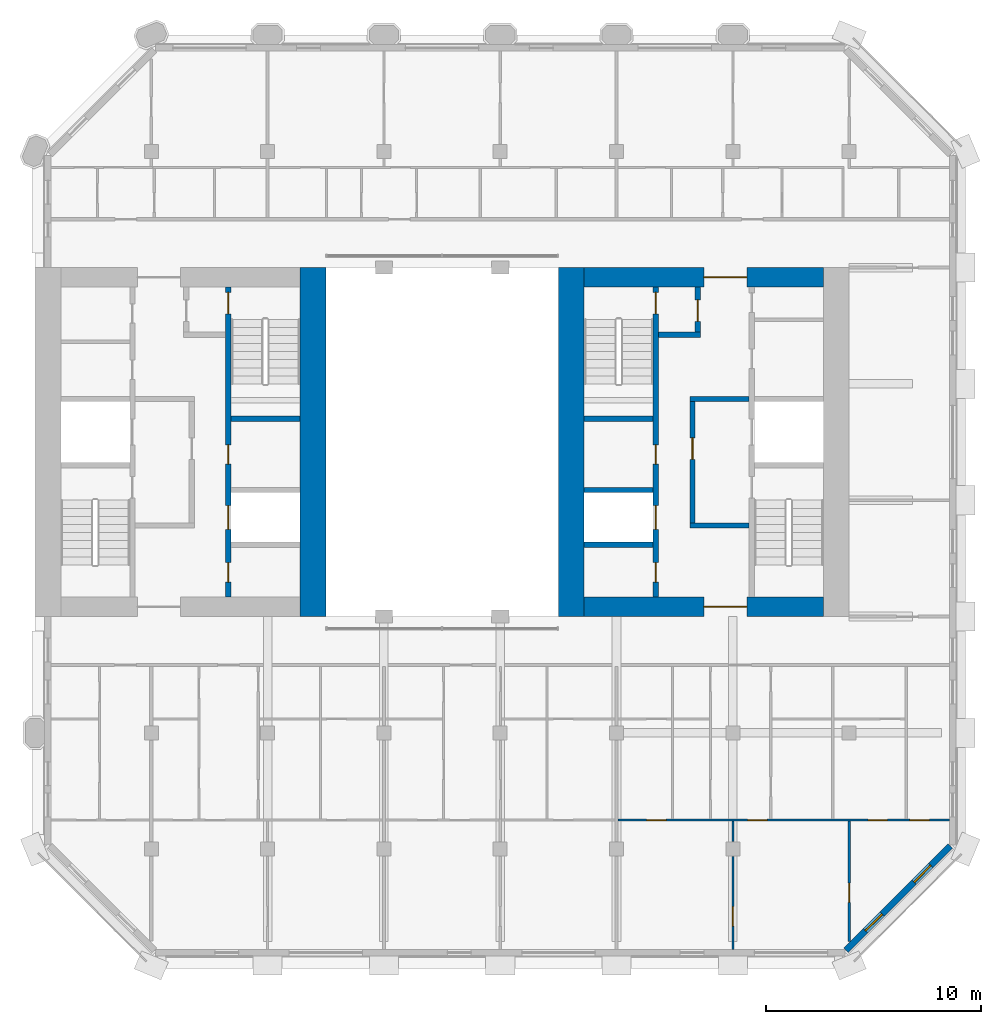
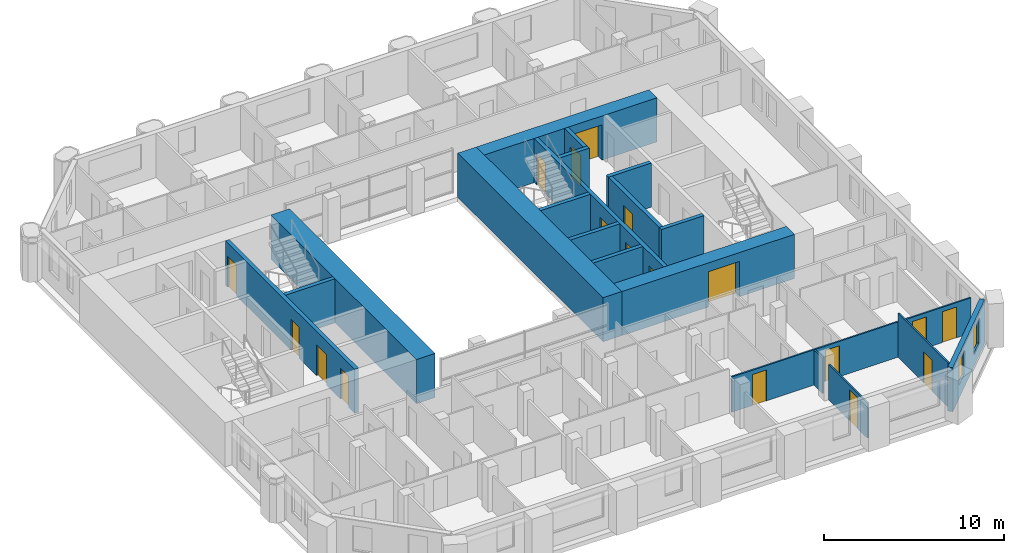
# One storey, part 10 of 16: 20 walls, 18 doors, 2 windows, 20 openings.
"""IFC4 building model written with IfcOpenShell, lengths in metres."""

import ifcopenshell
import ifcopenshell.guid

model = None  # the IFC model being written
_history = None  # IfcOwnerHistory: only IFC2X3 demands one
_inside = {}  # id of a spatial element -> (the spatial element, [elements in it])
_under = {}  # id of a project, library or spatial element -> (it, [spatial elements below it])
_declared = {}  # id of a project -> (the project, [libraries it declares])
_typed = {}  # id of a type object -> (the type object, [elements of that type])
_made_of = {}  # id of a material, layer set ... -> (it, [elements and type objects made of it])


def new_model(schema):
    """Start an empty IFC model of exactly this schema.

    Asked for "IFC4X3", IfcOpenShell would pick the latest addendum, in which some entities
    have other attributes; the version numbers below select the first issue.
    IFC2X3 requires an IfcOwnerHistory on every rooted entity: one is made here for all.
    """
    global model, _history
    if schema == "IFC4X3":
        model = ifcopenshell.file(schema_version=(4, 3, 0, 0))
    else:
        model = ifcopenshell.file(schema=schema)
    _inside.clear()
    _under.clear()
    _declared.clear()
    _typed.clear()
    _made_of.clear()
    _history = None
    if model.schema == "IFC2X3":
        org = make("IfcOrganization", Name="unknown")
        user = make(
            "IfcPersonAndOrganization",
            ThePerson=make("IfcPerson", FamilyName="unknown"),
            TheOrganization=org,
        )
        app = make(
            "IfcApplication",
            ApplicationDeveloper=org,
            Version="unknown",
            ApplicationFullName="unknown",
            ApplicationIdentifier="unknown",
        )
        _history = make(
            "IfcOwnerHistory",
            OwningUser=user,
            OwningApplication=app,
            ChangeAction="ADDED",
            CreationDate=0,
        )
    return model


def make(cls, **values):
    """One entity of the class cls with the attributes given. An attribute that is None is left unset."""
    return model.create_entity(
        cls, **{name: value for name, value in values.items() if value is not None}
    )


def rooted(cls, **values):
    """An entity with a GlobalId (a new one), such as an element, a storey or a relation."""
    return make(cls, GlobalId=ifcopenshell.guid.new(), OwnerHistory=_history, **values)


def si_unit(unit_type, name, prefix=None):
    """IfcSIUnit, for example si_unit("LENGTHUNIT", "METRE", prefix="MILLI")."""
    return make("IfcSIUnit", UnitType=unit_type, Prefix=prefix, Name=name)


def assignment(units):
    """IfcUnitAssignment: the units of a project."""
    return None if units is None else make("IfcUnitAssignment", Units=units)


def point(xyz):
    """IfcCartesianPoint."""
    return None if xyz is None else make("IfcCartesianPoint", Coordinates=xyz)


def direction(xyz):
    """IfcDirection."""
    return None if xyz is None else make("IfcDirection", DirectionRatios=xyz)


def frame(location, z_axis=None, x_axis=None):
    """IfcAxis2Placement3D, a coordinate frame: its origin and axes. An axis left out is left unset."""
    return make(
        "IfcAxis2Placement3D",
        Location=point(location),
        Axis=direction(z_axis),
        RefDirection=direction(x_axis),
    )


def frame_2d(location, x_axis=None):
    """IfcAxis2Placement2D, a coordinate frame in the plane: its origin and x axis."""
    return make(
        "IfcAxis2Placement2D", Location=point(location), RefDirection=direction(x_axis)
    )


def origin():
    """The frame at (0, 0, 0) with its axes left unset."""
    return frame((0.0, 0.0, 0.0))


def place(relative_to, where):
    """IfcLocalPlacement: puts the frame where relative to a parent placement (None: the world)."""
    return make(
        "IfcLocalPlacement", PlacementRelTo=relative_to, RelativePlacement=where
    )


def context(
    kind, dimensions, precision=None, world=None, true_north=None, identifier=None
):
    """IfcGeometricRepresentationContext, for example the 3D "Model" context."""
    return make(
        "IfcGeometricRepresentationContext",
        ContextIdentifier=identifier,
        ContextType=kind,
        CoordinateSpaceDimension=dimensions,
        Precision=precision,
        WorldCoordinateSystem=world,
        TrueNorth=true_north,
    )


def subcontext(parent, identifier, kind, view, scale=None):
    """IfcGeometricRepresentationSubContext, for example "Body" below "Model"."""
    return make(
        "IfcGeometricRepresentationSubContext",
        ContextIdentifier=identifier,
        ContextType=kind,
        ParentContext=parent,
        TargetScale=scale,
        TargetView=view,
    )


def project(units=None, contexts=None):
    """IfcProject with its units and contexts."""
    return rooted(
        "IfcProject",
        Name="project",
        RepresentationContexts=contexts,
        UnitsInContext=assignment(units),
    )


def spatial(cls, under=None, at=None, **own):
    """A site, building, storey or space (cls), placed at a placement, below another one or the project."""
    s = rooted(cls, ObjectPlacement=at, **own)
    if under is not None:
        _under.setdefault(under.id(), (under, []))[1].append(s)
    return s


def profile(cls, at=None, kind="AREA", **sizes):
    """A parametric profile (cls). Its sizes go by their IFC names, for example OverallWidth=200.0."""
    return make(cls, ProfileType=kind, Position=at, **sizes)


def rectangle(**sizes):
    """IfcRectangleProfileDef."""
    return profile("IfcRectangleProfileDef", **sizes)


def extrude(swept, where, along, depth):
    """IfcExtrudedAreaSolid: the profile swept, set in the frame where, extruded along a direction by depth."""
    return make(
        "IfcExtrudedAreaSolid",
        SweptArea=swept,
        Position=where,
        ExtrudedDirection=direction(along),
        Depth=depth,
    )


def shape(context_of_items, identifier, shape_type, items):
    """IfcShapeRepresentation: the items that make up one representation, for example the "Body"."""
    return make(
        "IfcShapeRepresentation",
        ContextOfItems=context_of_items,
        RepresentationIdentifier=identifier,
        RepresentationType=shape_type,
        Items=items,
    )


def material(Name=None, Category=None):
    """IfcMaterial."""
    return make("IfcMaterial", Name=Name, Category=Category)


def layer(
    of_material, thickness, ventilated=None, Name=None, Category=None, Priority=None
):
    """IfcMaterialLayer: one layer of a wall or slab, of a material (None: an air gap)."""
    return make(
        "IfcMaterialLayer",
        Material=of_material,
        LayerThickness=thickness,
        IsVentilated=ventilated,
        Name=Name,
        Category=Category,
        Priority=Priority,
    )


def layer_set(layers, Name=None):
    """IfcMaterialLayerSet."""
    return make("IfcMaterialLayerSet", MaterialLayers=layers, LayerSetName=Name)


def made_of(thing, what):
    """Note that an element or type object is made of a material, layer set ...; save() writes the relation."""
    if what is not None:
        _made_of.setdefault(what.id(), (what, []))[1].append(thing)
    return thing


def type_object(cls, material=None, **own):
    """A type object (cls), such as IfcWallType, which elements share."""
    return made_of(rooted(cls, **own), material)


def element(
    cls,
    number,
    at=None,
    inside=None,
    cuts=None,
    type_object=None,
    material=None,
    context=None,
    identifier="Body",
    shape_type=None,
    held_by="IfcProductDefinitionShape",
    body=None,
    shapes=None,
    **own,
):
    """One element of the class cls, such as IfcWall. Its Tag is "e" and its number.

    at: its placement. inside: the storey or other place that contains it. cuts: it is an
    opening in that element (IfcRelVoidsElement). A single representation is given by context,
    identifier, shape_type and body (its items); several are given by shapes. held_by: the class
    of the entity that holds the representations. save() writes the other relations.
    """
    e = rooted(cls, Tag="e%d" % number, ObjectPlacement=at, **own)
    if body is not None:
        shapes = [shape(context, identifier, shape_type, body)]
    if shapes is not None:
        e.Representation = make(held_by, Representations=shapes)
    if inside is not None:
        _inside.setdefault(inside.id(), (inside, []))[1].append(e)
    if cuts is not None:
        rooted(
            "IfcRelVoidsElement", RelatingBuildingElement=cuts, RelatedOpeningElement=e
        )
    if type_object is not None:
        _typed.setdefault(type_object.id(), (type_object, []))[1].append(e)
    return made_of(e, material)


def fill(opening, filler):
    """IfcRelFillsElement: the door or window that sits in an opening."""
    return rooted(
        "IfcRelFillsElement",
        RelatingOpeningElement=opening,
        RelatedBuildingElement=filler,
    )


def aggregate(whole, parts):
    """IfcRelAggregates: a whole, such as a stair, and the parts it consists of."""
    return rooted("IfcRelAggregates", RelatingObject=whole, RelatedObjects=parts)


def save(model, path):
    """Write the relations noted so far, then the file.

    IfcRelAggregates (storeys below a building ...), IfcRelContainedInSpatialStructure (elements
    in a storey), IfcRelDefinesByType, IfcRelAssociatesMaterial and IfcRelDeclares: one each for
    every whole, place, type object, material and project.
    """
    for whole, parts in _under.values():
        aggregate(whole, parts)
    for where, things in _inside.values():
        rooted(
            "IfcRelContainedInSpatialStructure",
            RelatedElements=things,
            RelatingStructure=where,
        )
    for kind, things in _typed.values():
        rooted("IfcRelDefinesByType", RelatedObjects=things, RelatingType=kind)
    for what, things in _made_of.values():
        rooted("IfcRelAssociatesMaterial", RelatedObjects=things, RelatingMaterial=what)
    for by, libraries in _declared.values():
        rooted("IfcRelDeclares", RelatingContext=by, RelatedDefinitions=libraries)
    model.write(path)


model = new_model("IFC4")

# Units and contexts
model_context = context("Model", 3, precision=1e-05, world=origin(), true_north=direction((0.0, 1.0)))
body_context = subcontext(model_context, "Body", "Model", "MODEL_VIEW")
ifc_project = project(units=[si_unit("LENGTHUNIT", "METRE"), si_unit("AREAUNIT", "SQUARE_METRE"), si_unit("VOLUMEUNIT", "CUBIC_METRE"), si_unit("PLANEANGLEUNIT", "RADIAN"), si_unit("MASSUNIT", "GRAM", prefix="KILO")], contexts=[model_context])

# Site, building, storey
site_placement = place(None, origin())
site = spatial("IfcSite", under=ifc_project, at=site_placement, CompositionType="ELEMENT")
building_placement = place(site_placement, origin())
building = spatial("IfcBuilding", under=site, at=building_placement, Name="Tabaq Tower and Sports Hall", CompositionType="ELEMENT")
storey_placement = place(building_placement, frame((0.0, 0.0, 268.60009765625)))
storey = spatial("IfcBuildingStorey", under=building, at=storey_placement, Name="L65", CompositionType="ELEMENT", Elevation=268.60009765625)

# Walls
ifc_material_1 = material(Name="Concrete C40/50", Category="concrete")
ifc_layer_1 = layer(ifc_material_1, 1.199951171875)
ifc_layer_set_1 = layer_set([ifc_layer_1], Name="Core wall 1200 Concrete C40/50")
wall_type_1 = type_object("IfcWallType", Name="Core wall 1200 Concrete C40/50", PredefinedType="SOLIDWALL", material=ifc_layer_set_1)
for number, where, z_axis, x_axis, name in (
    (1, (18.300048828125, 32.39990234375, 0.0), (0.0, 0.0, 1.0), (0.0, -1.0, 0.0), "Core wall W L65"),
    (2, (30.300048828125, 16.199951171875, 0.0), (0.0, 0.0, 1.0), (0.0, 1.0, 0.0), "Core wall E L65"),
):
    element("IfcWall", number, at=place(storey_placement, frame(where, z_axis=z_axis, x_axis=x_axis)), inside=storey, type_object=wall_type_1, Name=name, PredefinedType="SOLIDWALL", context=body_context, shape_type="SweptSolid", body=[
        extrude(rectangle(XDim=16.199951171875, YDim=1.199951171875, at=frame_2d((8.10009765625, 0.0))), origin(), (0.0, 0.0, 1.0), 3.0),
    ])

# Wall, opening, door
ifc_material_2 = material(Name="Concrete C40/50", Category="concrete")
ifc_layer_2 = layer(ifc_material_2, 0.89990234375)
ifc_layer_set_2 = layer_set([ifc_layer_2], Name="Core wall 900 Concrete C40/50")
wall_type_2 = type_object("IfcWallType", Name="Core wall 900 Concrete C40/50", PredefinedType="SOLIDWALL", material=ifc_layer_set_2)
wall_1_placement = place(storey_placement, frame((42.0, 16.64990234375, 0.0), z_axis=(0.0, 0.0, 1.0), x_axis=(-1.0, 0.0, 0.0)))
wall_1 = element("IfcWall", 3, at=wall_1_placement, inside=storey, type_object=wall_type_2, Name="Core wall E L65", PredefinedType="SOLIDWALL", context=body_context, shape_type="SweptSolid", body=[
    extrude(rectangle(XDim=11.10009765625, YDim=0.89990234375, at=frame_2d((5.550048828125, 0.0))), origin(), (0.0, 0.0, 1.0), 3.0),
])
opening_1_placement = place(wall_1_placement, frame((3.550048828125, 0.0, 0.0)))
opening_1 = element("IfcOpeningElement", 4, at=opening_1_placement, cuts=wall_1, Name="Opening PD-EL65-01", PredefinedType="OPENING", context=body_context, shape_type="SweptSolid", body=[
    extrude(rectangle(XDim=2.0, YDim=2.39990234375, at=frame_2d((1.0, 1.199951171875))), frame((0.0, 0.449951171875, 0.0), z_axis=(0.0, -1.0, 0.0), x_axis=(1.0, 0.0, 0.0)), (0.0, 0.0, 1.0), 0.89990234375),
])
ifc_material_3 = material(Name="Steel fire door", Category="steel")
door_type_1 = type_object("IfcDoorType", Name="Core entrance door 2000", OperationType="DOUBLE_DOOR_SINGLE_SWING", PredefinedType="DOOR", material=ifc_material_3)
door_1_placement = place(opening_1_placement, origin())
door_1 = element("IfcDoor", 5, at=door_1_placement, inside=storey, type_object=door_type_1, Name="Core entrance south E L65", OperationType="DOUBLE_DOOR_SINGLE_SWING", OverallHeight=2.39990234375, OverallWidth=2.0, PredefinedType="DOOR", context=body_context, shape_type="SweptSolid", body=[
    extrude(rectangle(XDim=2.0, YDim=2.39990234375, at=frame_2d((1.0, 1.199951171875))), frame((0.0, 0.02490234375, 0.0), z_axis=(0.0, -1.0, 0.0), x_axis=(1.0, 0.0, 0.0)), (0.0, 0.0, 1.0), 0.050048828125),
])
fill(opening_1, door_1)

wall_2_placement = place(storey_placement, frame((30.89990234375, 31.949951171875, 0.0), z_axis=(0.0, 0.0, 1.0), x_axis=(1.0, 0.0, 0.0)))
wall_2 = element("IfcWall", 6, at=wall_2_placement, inside=storey, type_object=wall_type_2, Name="Core wall E L65", PredefinedType="SOLIDWALL", context=body_context, shape_type="SweptSolid", body=[
    extrude(rectangle(XDim=11.10009765625, YDim=0.89990234375, at=frame_2d((5.550048828125, 0.0))), origin(), (0.0, 0.0, 1.0), 3.0),
])
opening_2_placement = place(wall_2_placement, frame((5.550048828125, 0.0, 0.0)))
opening_2 = element("IfcOpeningElement", 7, at=opening_2_placement, cuts=wall_2, Name="Opening PD-EL65-02", PredefinedType="OPENING", context=body_context, shape_type="SweptSolid", body=[
    extrude(rectangle(XDim=2.0, YDim=2.39990234375, at=frame_2d((1.0, 1.199951171875))), frame((0.0, 0.449951171875, 0.0), z_axis=(0.0, -1.0, 0.0), x_axis=(1.0, 0.0, 0.0)), (0.0, 0.0, 1.0), 0.89990234375),
])
door_2_placement = place(opening_2_placement, origin())
door_2 = element("IfcDoor", 8, at=door_2_placement, inside=storey, type_object=door_type_1, Name="Core entrance north E L65", OperationType="DOUBLE_DOOR_SINGLE_SWING", OverallHeight=2.39990234375, OverallWidth=2.0, PredefinedType="DOOR", context=body_context, shape_type="SweptSolid", body=[
    extrude(rectangle(XDim=2.0, YDim=2.39990234375, at=frame_2d((1.0, 1.199951171875))), frame((0.0, 0.02490234375, 0.0), z_axis=(0.0, -1.0, 0.0), x_axis=(1.0, 0.0, 0.0)), (0.0, 0.0, 1.0), 0.050048828125),
])
fill(opening_2, door_2)

ifc_material_4 = material(Name="Gypsum board on steel studs", Category="steel")
ifc_layer_3 = layer(ifc_material_4, 0.10009765625)
ifc_layer_set_3 = layer_set([ifc_layer_3], Name="Partition 100 Gypsum board")
wall_type_3 = type_object("IfcWallType", Name="Partition 100 Gypsum board", PredefinedType="PARTITIONING", material=ifc_layer_set_3)
wall_3_placement = place(storey_placement, frame((37.800048828125, 0.7509765625, 0.0), z_axis=(0.0, 0.0, 1.0), x_axis=(0.0, 1.0, 0.0)))
wall_3 = element("IfcWall", 9, at=wall_3_placement, inside=storey, type_object=wall_type_3, Name="Partition wall L65", PredefinedType="PARTITIONING", context=body_context, shape_type="SweptSolid", body=[
    extrude(rectangle(XDim=4.303955078125, YDim=0.10009765625, at=frame_2d((2.15185546875, 0.0))), origin(), (0.0, 0.0, 1.0), 2.39990234375),
])
opening_3_placement = place(wall_3_placement, frame((1.080078125, 0.0, 0.0)))
opening_3 = element("IfcOpeningElement", 10, at=opening_3_placement, cuts=wall_3, Name="Opening L65-047", PredefinedType="OPENING", context=body_context, shape_type="SweptSolid", body=[
    extrude(rectangle(XDim=0.89990234375, YDim=2.10009765625, at=frame_2d((0.449951171875, 1.050048828125))), frame((0.0, 0.050048828125, 0.0), z_axis=(0.0, -1.0, 0.0), x_axis=(1.0, 0.0, 0.0)), (0.0, 0.0, 1.0), 0.10009765625),
])
ifc_material_5 = material(Name="Timber leaf in steel frame", Category="steel")
door_type_2 = type_object("IfcDoorType", Name="Internal door 900 left hand", OperationType="SINGLE_SWING_LEFT", PredefinedType="DOOR", material=ifc_material_5)
door_3_placement = place(opening_3_placement, origin())
door_3 = element("IfcDoor", 11, at=door_3_placement, inside=storey, type_object=door_type_2, Name="Internal door L65-047", OperationType="SINGLE_SWING_LEFT", OverallHeight=2.10009765625, OverallWidth=0.89990234375, PredefinedType="DOOR", context=body_context, shape_type="SweptSolid", body=[
    extrude(rectangle(XDim=0.89990234375, YDim=2.10009765625, at=frame_2d((0.449951171875, 1.050048828125))), frame((0.0, 0.02490234375, 0.0), z_axis=(0.0, -1.0, 0.0), x_axis=(1.0, 0.0, 0.0)), (0.0, 0.0, 1.0), 0.050048828125),
])
fill(opening_3, door_3)

# Wall
wall_4_placement = place(storey_placement, frame((37.800048828125, 5.7451171875, 0.0), z_axis=(0.0, 0.0, 1.0), x_axis=(0.0, 1.0, 0.0)))
element("IfcWall", 12, at=wall_4_placement, inside=storey, type_object=wall_type_3, Name="Partition wall L65", PredefinedType="PARTITIONING", context=body_context, shape_type="SweptSolid", body=[
    extrude(rectangle(XDim=0.954833984375, YDim=0.10009765625, at=frame_2d((0.4775390625, 0.0))), origin(), (0.0, 0.0, 1.0), 2.39990234375),
])

# Wall, openings, doors
wall_5_placement = place(storey_placement, frame((47.84912109375, 6.75, 0.0), z_axis=(0.0, 0.0, 1.0), x_axis=(-1.0, 0.0, 0.0)))
wall_5 = element("IfcWall", 13, at=wall_5_placement, inside=storey, type_object=wall_type_3, Name="Partition wall L65", PredefinedType="PARTITIONING", context=body_context, shape_type="SweptSolid", body=[
    extrude(rectangle(XDim=15.3740234375, YDim=0.10009765625, at=frame_2d((7.68701171875, 0.0))), origin(), (0.0, 0.0, 1.0), 2.39990234375),
])
opening_4_placement = place(wall_5_placement, frame((0.928955078125, 0.0, 0.0)))
opening_4 = element("IfcOpeningElement", 14, at=opening_4_placement, cuts=wall_5, Name="Opening L65-023", PredefinedType="OPENING", context=body_context, shape_type="SweptSolid", body=[
    extrude(rectangle(XDim=0.89990234375, YDim=2.10009765625, at=frame_2d((0.449951171875, 1.050048828125))), frame((0.0, 0.050048828125, 0.0), z_axis=(0.0, -1.0, 0.0), x_axis=(1.0, 0.0, 0.0)), (0.0, 0.0, 1.0), 0.10009765625),
])
opening_5_placement = place(wall_5_placement, frame((13.14892578125, 0.0, 0.0)))
opening_5 = element("IfcOpeningElement", 15, at=opening_5_placement, cuts=wall_5, Name="Opening L65-048", PredefinedType="OPENING", context=body_context, shape_type="SweptSolid", body=[
    extrude(rectangle(XDim=0.89990234375, YDim=2.10009765625, at=frame_2d((0.449951171875, 1.050048828125))), frame((0.0, 0.050048828125, 0.0), z_axis=(0.0, -1.0, 0.0), x_axis=(1.0, 0.0, 0.0)), (0.0, 0.0, 1.0), 0.10009765625),
])
opening_6_placement = place(wall_5_placement, frame((2.8740234375, 0.0, 0.0)))
opening_6 = element("IfcOpeningElement", 16, at=opening_6_placement, cuts=wall_5, Name="Opening L65-049", PredefinedType="OPENING", context=body_context, shape_type="SweptSolid", body=[
    extrude(rectangle(XDim=0.89990234375, YDim=2.10009765625, at=frame_2d((0.449951171875, 1.050048828125))), frame((0.0, 0.050048828125, 0.0), z_axis=(0.0, -1.0, 0.0), x_axis=(1.0, 0.0, 0.0)), (0.0, 0.0, 1.0), 0.10009765625),
])
opening_7_placement = place(wall_5_placement, frame((8.462890625, 0.0, 0.0)))
opening_7 = element("IfcOpeningElement", 17, at=opening_7_placement, cuts=wall_5, Name="Opening L65-058", PredefinedType="OPENING", context=body_context, shape_type="SweptSolid", body=[
    extrude(rectangle(XDim=0.89990234375, YDim=2.10009765625, at=frame_2d((0.449951171875, 1.050048828125))), frame((0.0, 0.050048828125, 0.0), z_axis=(0.0, -1.0, 0.0), x_axis=(1.0, 0.0, 0.0)), (0.0, 0.0, 1.0), 0.10009765625),
])
door_4_placement = place(opening_6_placement, origin())
door_4 = element("IfcDoor", 18, at=door_4_placement, inside=storey, type_object=door_type_2, Name="Internal door L65-049", OperationType="SINGLE_SWING_LEFT", OverallHeight=2.10009765625, OverallWidth=0.89990234375, PredefinedType="DOOR", context=body_context, shape_type="SweptSolid", body=[
    extrude(rectangle(XDim=0.89990234375, YDim=2.10009765625, at=frame_2d((0.449951171875, 1.050048828125))), frame((0.0, 0.02490234375, 0.0), z_axis=(0.0, -1.0, 0.0), x_axis=(1.0, 0.0, 0.0)), (0.0, 0.0, 1.0), 0.050048828125),
])
fill(opening_6, door_4)
ifc_material_6 = material(Name="Timber leaf in steel frame", Category="steel")
door_type_3 = type_object("IfcDoorType", Name="Internal door 900 right hand", OperationType="SINGLE_SWING_RIGHT", PredefinedType="DOOR", material=ifc_material_6)
door_5_placement = place(opening_4_placement, origin())
door_5 = element("IfcDoor", 19, at=door_5_placement, inside=storey, type_object=door_type_3, Name="Internal door L65-023", OperationType="SINGLE_SWING_RIGHT", OverallHeight=2.10009765625, OverallWidth=0.89990234375, PredefinedType="DOOR", context=body_context, shape_type="SweptSolid", body=[
    extrude(rectangle(XDim=0.89990234375, YDim=2.10009765625, at=frame_2d((0.449951171875, 1.050048828125))), frame((0.0, 0.02490234375, 0.0), z_axis=(0.0, -1.0, 0.0), x_axis=(1.0, 0.0, 0.0)), (0.0, 0.0, 1.0), 0.050048828125),
])
fill(opening_4, door_5)
door_6_placement = place(opening_5_placement, origin())
door_6 = element("IfcDoor", 20, at=door_6_placement, inside=storey, type_object=door_type_3, Name="Internal door L65-048", OperationType="SINGLE_SWING_RIGHT", OverallHeight=2.10009765625, OverallWidth=0.89990234375, PredefinedType="DOOR", context=body_context, shape_type="SweptSolid", body=[
    extrude(rectangle(XDim=0.89990234375, YDim=2.10009765625, at=frame_2d((0.449951171875, 1.050048828125))), frame((0.0, 0.02490234375, 0.0), z_axis=(0.0, -1.0, 0.0), x_axis=(1.0, 0.0, 0.0)), (0.0, 0.0, 1.0), 0.050048828125),
])
fill(opening_5, door_6)
door_7_placement = place(opening_7_placement, origin())
door_7 = element("IfcDoor", 21, at=door_7_placement, inside=storey, type_object=door_type_3, Name="Internal door L65-058", OperationType="SINGLE_SWING_RIGHT", OverallHeight=2.10009765625, OverallWidth=0.89990234375, PredefinedType="DOOR", context=body_context, shape_type="SweptSolid", body=[
    extrude(rectangle(XDim=0.89990234375, YDim=2.10009765625, at=frame_2d((0.449951171875, 1.050048828125))), frame((0.0, 0.02490234375, 0.0), z_axis=(0.0, -1.0, 0.0), x_axis=(1.0, 0.0, 0.0)), (0.0, 0.0, 1.0), 0.050048828125),
])
fill(opening_7, door_7)

# Wall, opening, door
wall_6_placement = place(storey_placement, frame((43.199951171875, 1.112060546875, 0.0), z_axis=(0.0, 0.0, 1.0), x_axis=(0.0, 1.0, 0.0)))
wall_6 = element("IfcWall", 22, at=wall_6_placement, inside=storey, type_object=wall_type_3, Name="Partition wall L65", PredefinedType="PARTITIONING", context=body_context, shape_type="SweptSolid", body=[
    extrude(rectangle(XDim=5.587890625, YDim=0.10009765625, at=frame_2d((2.7939453125, 0.0))), origin(), (0.0, 0.0, 1.0), 3.0),
])
opening_8_placement = place(wall_6_placement, frame((1.81298828125, 0.0, 0.0)))
opening_8 = element("IfcOpeningElement", 23, at=opening_8_placement, cuts=wall_6, Name="Opening L65-057", PredefinedType="OPENING", context=body_context, shape_type="SweptSolid", body=[
    extrude(rectangle(XDim=0.89990234375, YDim=2.10009765625, at=frame_2d((0.449951171875, 1.050048828125))), frame((0.0, 0.050048828125, 0.0), z_axis=(0.0, -1.0, 0.0), x_axis=(1.0, 0.0, 0.0)), (0.0, 0.0, 1.0), 0.10009765625),
])
door_8_placement = place(opening_8_placement, origin())
door_8 = element("IfcDoor", 24, at=door_8_placement, inside=storey, type_object=door_type_3, Name="Internal door L65-057", OperationType="SINGLE_SWING_RIGHT", OverallHeight=2.10009765625, OverallWidth=0.89990234375, PredefinedType="DOOR", context=body_context, shape_type="SweptSolid", body=[
    extrude(rectangle(XDim=0.89990234375, YDim=2.10009765625, at=frame_2d((0.449951171875, 1.050048828125))), frame((0.0, 0.02490234375, 0.0), z_axis=(0.0, -1.0, 0.0), x_axis=(1.0, 0.0, 0.0)), (0.0, 0.0, 1.0), 0.050048828125),
])
fill(opening_8, door_8)

# Wall, openings, doors
ifc_material_7 = material(Name="Concrete C40/50", Category="concrete")
ifc_layer_4 = layer(ifc_material_7, 0.25)
ifc_layer_set_4 = layer_set([ifc_layer_4], Name="Shaft and stair wall 250 Concrete C40/50")
wall_type_4 = type_object("IfcWallType", Name="Shaft and stair wall 250 Concrete C40/50", PredefinedType="SOLIDWALL", material=ifc_layer_set_4)
wall_7_placement = place(storey_placement, frame((14.375, 17.10009765625, 0.0), z_axis=(0.0, 0.0, 1.0), x_axis=(0.0, 1.0, 0.0)))
wall_7 = element("IfcWall", 25, at=wall_7_placement, inside=storey, type_object=wall_type_4, Name="Shaft wall W L65", PredefinedType="SOLIDWALL", context=body_context, shape_type="SweptSolid", body=[
    extrude(rectangle(XDim=14.39990234375, YDim=0.25, at=frame_2d((7.199951171875, 0.0))), origin(), (0.0, 0.0, 1.0), 3.0),
])
opening_9_placement = place(wall_7_placement, frame((13.14990234375, 0.0, 0.0)))
opening_9 = element("IfcOpeningElement", 26, at=opening_9_placement, cuts=wall_7, Name="Opening SD-WL65-05", PredefinedType="OPENING", context=body_context, shape_type="SweptSolid", body=[
    extrude(rectangle(XDim=1.0, YDim=2.10009765625, at=frame_2d((0.5, 1.050048828125))), frame((0.0, 0.125, 0.0), z_axis=(0.0, -1.0, 0.0), x_axis=(1.0, 0.0, 0.0)), (0.0, 0.0, 1.0), 0.25),
])
opening_10_placement = place(wall_7_placement, frame((3.14990234375, 0.0, 0.0)))
opening_10 = element("IfcOpeningElement", 27, at=opening_10_placement, cuts=wall_7, Name="Opening LD-HR1-L65", PredefinedType="OPENING", context=body_context, shape_type="SweptSolid", body=[
    extrude(rectangle(XDim=1.10009765625, YDim=2.10009765625, at=frame_2d((0.550048828125, 1.050048828125))), frame((0.0, 0.125, 0.0), z_axis=(0.0, -1.0, 0.0), x_axis=(1.0, 0.0, 0.0)), (0.0, 0.0, 1.0), 0.25),
])
opening_11_placement = place(wall_7_placement, frame((0.699951171875, 0.0, 0.0)))
opening_11 = element("IfcOpeningElement", 28, at=opening_11_placement, cuts=wall_7, Name="Opening RD-WL65-11", PredefinedType="OPENING", context=body_context, shape_type="SweptSolid", body=[
    extrude(rectangle(XDim=0.89990234375, YDim=2.10009765625, at=frame_2d((0.449951171875, 1.050048828125))), frame((0.0, 0.125, 0.0), z_axis=(0.0, -1.0, 0.0), x_axis=(1.0, 0.0, 0.0)), (0.0, 0.0, 1.0), 0.25),
])
opening_12_placement = place(wall_7_placement, frame((6.175048828125, 0.0, 0.0)))
opening_12 = element("IfcOpeningElement", 29, at=opening_12_placement, cuts=wall_7, Name="Opening RD-WL65-12", PredefinedType="OPENING", context=body_context, shape_type="SweptSolid", body=[
    extrude(rectangle(XDim=0.89990234375, YDim=2.10009765625, at=frame_2d((0.449951171875, 1.050048828125))), frame((0.0, 0.125, 0.0), z_axis=(0.0, -1.0, 0.0), x_axis=(1.0, 0.0, 0.0)), (0.0, 0.0, 1.0), 0.25),
])
ifc_material_8 = material(Name="Steel fire door", Category="steel")
door_type_4 = type_object("IfcDoorType", Name="Core room door 900", OperationType="SINGLE_SWING_LEFT", PredefinedType="DOOR", material=ifc_material_8)
door_9_placement = place(opening_11_placement, origin())
door_9 = element("IfcDoor", 30, at=door_9_placement, inside=storey, type_object=door_type_4, Name="Door Electrical Riser Room W L65", OperationType="SINGLE_SWING_LEFT", OverallHeight=2.10009765625, OverallWidth=0.89990234375, PredefinedType="DOOR", context=body_context, shape_type="SweptSolid", body=[
    extrude(rectangle(XDim=0.89990234375, YDim=2.10009765625, at=frame_2d((0.449951171875, 1.050048828125))), frame((0.0, 0.02490234375, 0.0), z_axis=(0.0, -1.0, 0.0), x_axis=(1.0, 0.0, 0.0)), (0.0, 0.0, 1.0), 0.050048828125),
])
fill(opening_11, door_9)
door_10_placement = place(opening_12_placement, origin())
door_10 = element("IfcDoor", 31, at=door_10_placement, inside=storey, type_object=door_type_4, Name="Door Riser Room W L65", OperationType="SINGLE_SWING_LEFT", OverallHeight=2.10009765625, OverallWidth=0.89990234375, PredefinedType="DOOR", context=body_context, shape_type="SweptSolid", body=[
    extrude(rectangle(XDim=0.89990234375, YDim=2.10009765625, at=frame_2d((0.449951171875, 1.050048828125))), frame((0.0, 0.02490234375, 0.0), z_axis=(0.0, -1.0, 0.0), x_axis=(1.0, 0.0, 0.0)), (0.0, 0.0, 1.0), 0.050048828125),
])
fill(opening_12, door_10)
ifc_material_9 = material(Name="Stainless steel", Category="steel")
door_type_5 = type_object("IfcDoorType", Name="Lift landing door 1100", OperationType="DOUBLE_DOOR_SLIDING", PredefinedType="DOOR", material=ifc_material_9)
door_11_placement = place(opening_10_placement, origin())
door_11 = element("IfcDoor", 32, at=door_11_placement, inside=storey, type_object=door_type_5, Name="Lift landing door HR1 W L65", OperationType="DOUBLE_DOOR_SLIDING", OverallHeight=2.10009765625, OverallWidth=1.10009765625, PredefinedType="DOOR", context=body_context, shape_type="SweptSolid", body=[
    extrude(rectangle(XDim=1.10009765625, YDim=2.10009765625, at=frame_2d((0.550048828125, 1.050048828125))), frame((0.0, 0.02490234375, 0.0), z_axis=(0.0, -1.0, 0.0), x_axis=(1.0, 0.0, 0.0)), (0.0, 0.0, 1.0), 0.050048828125),
])
fill(opening_10, door_11)
ifc_material_10 = material(Name="Steel fire door", Category="steel")
door_type_6 = type_object("IfcDoorType", Name="Stair door 1000", OperationType="SINGLE_SWING_LEFT", PredefinedType="DOOR", material=ifc_material_10)
door_12_placement = place(opening_9_placement, origin())
door_12 = element("IfcDoor", 33, at=door_12_placement, inside=storey, type_object=door_type_6, Name="Stair door ST2 W L65", OperationType="SINGLE_SWING_LEFT", OverallHeight=2.10009765625, OverallWidth=1.0, PredefinedType="DOOR", context=body_context, shape_type="SweptSolid", body=[
    extrude(rectangle(XDim=1.0, YDim=2.10009765625, at=frame_2d((0.5, 1.050048828125))), frame((0.0, 0.02490234375, 0.0), z_axis=(0.0, -1.0, 0.0), x_axis=(1.0, 0.0, 0.0)), (0.0, 0.0, 1.0), 0.050048828125),
])
fill(opening_9, door_12)

# Wall
wall_8_placement = place(storey_placement, frame((14.5, 25.375, 0.0), z_axis=(0.0, 0.0, 1.0), x_axis=(1.0, 0.0, 0.0)))
element("IfcWall", 34, at=wall_8_placement, inside=storey, type_object=wall_type_4, Name="Stair enclosure wall W L65", PredefinedType="SOLIDWALL", context=body_context, shape_type="SweptSolid", body=[
    extrude(rectangle(XDim=3.199951171875, YDim=0.25, at=frame_2d((1.60009765625, 0.0))), origin(), (0.0, 0.0, 1.0), 3.0),
])

# Wall, openings, doors
wall_9_placement = place(storey_placement, frame((34.22509765625, 17.10009765625, 0.0), z_axis=(0.0, 0.0, 1.0), x_axis=(0.0, 1.0, 0.0)))
wall_9 = element("IfcWall", 35, at=wall_9_placement, inside=storey, type_object=wall_type_4, Name="Shaft wall E L65", PredefinedType="SOLIDWALL", context=body_context, shape_type="SweptSolid", body=[
    extrude(rectangle(XDim=14.39990234375, YDim=0.25, at=frame_2d((7.199951171875, 0.0))), origin(), (0.0, 0.0, 1.0), 3.0),
])
opening_13_placement = place(wall_9_placement, frame((13.14990234375, 0.0, 0.0)))
opening_13 = element("IfcOpeningElement", 36, at=opening_13_placement, cuts=wall_9, Name="Opening SD-EL65-05", PredefinedType="OPENING", context=body_context, shape_type="SweptSolid", body=[
    extrude(rectangle(XDim=1.0, YDim=2.10009765625, at=frame_2d((0.5, 1.050048828125))), frame((0.0, 0.125, 0.0), z_axis=(0.0, -1.0, 0.0), x_axis=(1.0, 0.0, 0.0)), (0.0, 0.0, 1.0), 0.25),
])
opening_14_placement = place(wall_9_placement, frame((3.14990234375, 0.0, 0.0)))
opening_14 = element("IfcOpeningElement", 37, at=opening_14_placement, cuts=wall_9, Name="Opening LD-HR2-L65", PredefinedType="OPENING", context=body_context, shape_type="SweptSolid", body=[
    extrude(rectangle(XDim=1.10009765625, YDim=2.10009765625, at=frame_2d((0.550048828125, 1.050048828125))), frame((0.0, 0.125, 0.0), z_axis=(0.0, -1.0, 0.0), x_axis=(1.0, 0.0, 0.0)), (0.0, 0.0, 1.0), 0.25),
])
opening_15_placement = place(wall_9_placement, frame((0.699951171875, 0.0, 0.0)))
opening_15 = element("IfcOpeningElement", 38, at=opening_15_placement, cuts=wall_9, Name="Opening RD-EL65-11", PredefinedType="OPENING", context=body_context, shape_type="SweptSolid", body=[
    extrude(rectangle(XDim=0.89990234375, YDim=2.10009765625, at=frame_2d((0.449951171875, 1.050048828125))), frame((0.0, 0.125, 0.0), z_axis=(0.0, -1.0, 0.0), x_axis=(1.0, 0.0, 0.0)), (0.0, 0.0, 1.0), 0.25),
])
opening_16_placement = place(wall_9_placement, frame((6.175048828125, 0.0, 0.0)))
opening_16 = element("IfcOpeningElement", 39, at=opening_16_placement, cuts=wall_9, Name="Opening RD-EL65-12", PredefinedType="OPENING", context=body_context, shape_type="SweptSolid", body=[
    extrude(rectangle(XDim=0.89990234375, YDim=2.10009765625, at=frame_2d((0.449951171875, 1.050048828125))), frame((0.0, 0.125, 0.0), z_axis=(0.0, -1.0, 0.0), x_axis=(1.0, 0.0, 0.0)), (0.0, 0.0, 1.0), 0.25),
])
door_13_placement = place(opening_15_placement, origin())
door_13 = element("IfcDoor", 40, at=door_13_placement, inside=storey, type_object=door_type_4, Name="Door Electrical Riser Room E L65", OperationType="SINGLE_SWING_LEFT", OverallHeight=2.10009765625, OverallWidth=0.89990234375, PredefinedType="DOOR", context=body_context, shape_type="SweptSolid", body=[
    extrude(rectangle(XDim=0.89990234375, YDim=2.10009765625, at=frame_2d((0.449951171875, 1.050048828125))), frame((0.0, 0.02490234375, 0.0), z_axis=(0.0, -1.0, 0.0), x_axis=(1.0, 0.0, 0.0)), (0.0, 0.0, 1.0), 0.050048828125),
])
fill(opening_15, door_13)
door_14_placement = place(opening_16_placement, origin())
door_14 = element("IfcDoor", 41, at=door_14_placement, inside=storey, type_object=door_type_4, Name="Door Riser Room E L65", OperationType="SINGLE_SWING_LEFT", OverallHeight=2.10009765625, OverallWidth=0.89990234375, PredefinedType="DOOR", context=body_context, shape_type="SweptSolid", body=[
    extrude(rectangle(XDim=0.89990234375, YDim=2.10009765625, at=frame_2d((0.449951171875, 1.050048828125))), frame((0.0, 0.02490234375, 0.0), z_axis=(0.0, -1.0, 0.0), x_axis=(1.0, 0.0, 0.0)), (0.0, 0.0, 1.0), 0.050048828125),
])
fill(opening_16, door_14)
door_15_placement = place(opening_14_placement, origin())
door_15 = element("IfcDoor", 42, at=door_15_placement, inside=storey, type_object=door_type_5, Name="Lift landing door HR2 E L65", OperationType="DOUBLE_DOOR_SLIDING", OverallHeight=2.10009765625, OverallWidth=1.10009765625, PredefinedType="DOOR", context=body_context, shape_type="SweptSolid", body=[
    extrude(rectangle(XDim=1.10009765625, YDim=2.10009765625, at=frame_2d((0.550048828125, 1.050048828125))), frame((0.0, 0.02490234375, 0.0), z_axis=(0.0, -1.0, 0.0), x_axis=(1.0, 0.0, 0.0)), (0.0, 0.0, 1.0), 0.050048828125),
])
fill(opening_14, door_15)
door_16_placement = place(opening_13_placement, origin())
door_16 = element("IfcDoor", 43, at=door_16_placement, inside=storey, type_object=door_type_6, Name="Stair door ST4 E L65", OperationType="SINGLE_SWING_LEFT", OverallHeight=2.10009765625, OverallWidth=1.0, PredefinedType="DOOR", context=body_context, shape_type="SweptSolid", body=[
    extrude(rectangle(XDim=1.0, YDim=2.10009765625, at=frame_2d((0.5, 1.050048828125))), frame((0.0, 0.02490234375, 0.0), z_axis=(0.0, -1.0, 0.0), x_axis=(1.0, 0.0, 0.0)), (0.0, 0.0, 1.0), 0.050048828125),
])
fill(opening_13, door_16)

# Walls
for number, where, z_axis, x_axis, name in (
    (44, (30.89990234375, 25.375, 0.0), (0.0, 0.0, 1.0), (1.0, 0.0, 0.0), "Stair enclosure wall E L65"),
    (45, (30.89990234375, 22.074951171875, 0.0), (0.0, 0.0, 1.0), (1.0, 0.0, 0.0), "Shaft wall E L65"),
):
    element("IfcWall", number, at=place(storey_placement, frame(where, z_axis=z_axis, x_axis=x_axis)), inside=storey, type_object=wall_type_4, Name=name, PredefinedType="SOLIDWALL", context=body_context, shape_type="SweptSolid", body=[
        extrude(rectangle(XDim=3.2001953125, YDim=0.25, at=frame_2d((1.60009765625, 0.0))), origin(), (0.0, 0.0, 1.0), 3.0),
    ])
for number, where, z_axis, x_axis, name in (
    (46, (35.800048828125, 26.300048828125, 0.0), (0.0, 0.0, 1.0), (1.0, 0.0, 0.0), "Fire-fighting lobby wall E L65"),
    (47, (35.800048828125, 20.425048828125, 0.0), (0.0, 0.0, 1.0), (1.0, 0.0, 0.0), "Fire-fighting lobby wall E L65"),
):
    element("IfcWall", number, at=place(storey_placement, frame(where, z_axis=z_axis, x_axis=x_axis)), inside=storey, type_object=wall_type_4, Name=name, PredefinedType="SOLIDWALL", context=body_context, shape_type="SweptSolid", body=[
        extrude(rectangle(XDim=2.75, YDim=0.25, at=frame_2d((1.375, 0.0))), origin(), (0.0, 0.0, 1.0), 3.0),
    ])

# Wall, opening, door
wall_10_placement = place(storey_placement, frame((36.175048828125, 29.39990234375, 0.0), z_axis=(0.0, 0.0, 1.0), x_axis=(0.0, 1.0, 0.0)))
wall_10 = element("IfcWall", 48, at=wall_10_placement, inside=storey, type_object=wall_type_4, Name="Fire-fighting lobby wall E L65", PredefinedType="SOLIDWALL", context=body_context, shape_type="SweptSolid", body=[
    extrude(rectangle(XDim=2.10009765625, YDim=0.25, at=frame_2d((1.050048828125, 0.0))), origin(), (0.0, 0.0, 1.0), 3.0),
])
opening_17_placement = place(wall_10_placement, frame((0.5, 0.0, 0.0)))
opening_17 = element("IfcOpeningElement", 49, at=opening_17_placement, cuts=wall_10, Name="Opening FD-EL65-06", PredefinedType="OPENING", context=body_context, shape_type="SweptSolid", body=[
    extrude(rectangle(XDim=1.0, YDim=2.10009765625, at=frame_2d((0.5, 1.050048828125))), frame((0.0, 0.125, 0.0), z_axis=(0.0, -1.0, 0.0), x_axis=(1.0, 0.0, 0.0)), (0.0, 0.0, 1.0), 0.25),
])
ifc_material_11 = material(Name="Steel fire door", Category="steel")
door_type_7 = type_object("IfcDoorType", Name="Fire-fighting lobby door 1000", OperationType="SINGLE_SWING_LEFT", PredefinedType="DOOR", material=ifc_material_11)
door_17_placement = place(opening_17_placement, origin())
door_17 = element("IfcDoor", 50, at=door_17_placement, inside=storey, type_object=door_type_7, Name="Stair lobby door E L65", OperationType="SINGLE_SWING_LEFT", OverallHeight=2.10009765625, OverallWidth=1.0, PredefinedType="DOOR", context=body_context, shape_type="SweptSolid", body=[
    extrude(rectangle(XDim=1.0, YDim=2.10009765625, at=frame_2d((0.5, 1.050048828125))), frame((0.0, 0.02490234375, 0.0), z_axis=(0.0, -1.0, 0.0), x_axis=(1.0, 0.0, 0.0)), (0.0, 0.0, 1.0), 0.050048828125),
])
fill(opening_17, door_17)

# Wall
wall_11_placement = place(storey_placement, frame((34.35009765625, 29.27490234375, 0.0), z_axis=(0.0, 0.0, 1.0), x_axis=(1.0, 0.0, 0.0)))
element("IfcWall", 51, at=wall_11_placement, inside=storey, type_object=wall_type_4, Name="Fire-fighting lobby wall E L65", PredefinedType="SOLIDWALL", context=body_context, shape_type="SweptSolid", body=[
    extrude(rectangle(XDim=1.949951171875, YDim=0.25, at=frame_2d((0.97509765625, 0.0))), origin(), (0.0, 0.0, 1.0), 3.0),
])

# Wall, opening, door
wall_12_placement = place(storey_placement, frame((35.925048828125, 20.550048828125, 0.0), z_axis=(0.0, 0.0, 1.0), x_axis=(0.0, 1.0, 0.0)))
wall_12 = element("IfcWall", 52, at=wall_12_placement, inside=storey, type_object=wall_type_4, Name="Fire-fighting lobby wall E L65", PredefinedType="SOLIDWALL", context=body_context, shape_type="SweptSolid", body=[
    extrude(rectangle(XDim=5.625, YDim=0.25, at=frame_2d((2.8125, 0.0))), origin(), (0.0, 0.0, 1.0), 3.0),
])
opening_18_placement = place(wall_12_placement, frame((2.949951171875, 0.0, 0.0)))
opening_18 = element("IfcOpeningElement", 53, at=opening_18_placement, cuts=wall_12, Name="Opening FD-EL65-04", PredefinedType="OPENING", context=body_context, shape_type="SweptSolid", body=[
    extrude(rectangle(XDim=1.0, YDim=2.10009765625, at=frame_2d((0.5, 1.050048828125))), frame((0.0, 0.125, 0.0), z_axis=(0.0, -1.0, 0.0), x_axis=(1.0, 0.0, 0.0)), (0.0, 0.0, 1.0), 0.25),
])
door_18_placement = place(opening_18_placement, origin())
door_18 = element("IfcDoor", 54, at=door_18_placement, inside=storey, type_object=door_type_7, Name="Fire-fighting lobby door E L65", OperationType="SINGLE_SWING_LEFT", OverallHeight=2.10009765625, OverallWidth=1.0, PredefinedType="DOOR", context=body_context, shape_type="SweptSolid", body=[
    extrude(rectangle(XDim=1.0, YDim=2.10009765625, at=frame_2d((0.5, 1.050048828125))), frame((0.0, 0.02490234375, 0.0), z_axis=(0.0, -1.0, 0.0), x_axis=(1.0, 0.0, 0.0)), (0.0, 0.0, 1.0), 0.050048828125),
])
fill(opening_18, door_18)

# Wall
wall_13_placement = place(storey_placement, frame((30.89990234375, 19.52490234375, 0.0), z_axis=(0.0, 0.0, 1.0), x_axis=(1.0, 0.0, 0.0)))
element("IfcWall", 55, at=wall_13_placement, inside=storey, type_object=wall_type_4, Name="Shaft wall E L65", PredefinedType="SOLIDWALL", context=body_context, shape_type="SweptSolid", body=[
    extrude(rectangle(XDim=3.2001953125, YDim=0.25, at=frame_2d((1.60009765625, 0.0))), origin(), (0.0, 0.0, 1.0), 3.0),
])

# Wall, openings, windows
ifc_material_12 = material(Name="White precast concrete C60/75", Category="concrete")
ifc_layer_5 = layer(ifc_material_12, 0.300048828125)
ifc_layer_set_5 = layer_set([ifc_layer_5], Name="White precast concrete C60/75 external wall 300")
wall_type_5 = type_object("IfcWallType", Name="White precast concrete C60/75 external wall 300", PredefinedType="SOLIDWALL", material=ifc_layer_set_5)
wall_14_placement = place(storey_placement, frame((43.050537109375, 0.698974609375, 0.0), z_axis=(0.0, 0.0, 1.0), x_axis=(0.707106781187, 0.707106781187, 0.0)))
wall_14 = element("IfcWall", 56, at=wall_14_placement, inside=storey, type_object=wall_type_5, Name="External Wall L65 SE", PredefinedType="SOLIDWALL", context=body_context, shape_type="SweptSolid", body=[
    extrude(rectangle(XDim=6.85986328125, YDim=0.300048828125, at=frame_2d((3.429931640625, 0.0))), origin(), (0.0, 0.0, 1.0), 3.0),
])
opening_19_placement = place(wall_14_placement, frame((1.27978515625, 0.0, 0.89990234375)))
opening_19 = element("IfcOpeningElement", 57, at=opening_19_placement, cuts=wall_14, Name="Opening W1B", PredefinedType="OPENING", context=body_context, shape_type="SweptSolid", body=[
    extrude(rectangle(XDim=1.10009765625, YDim=1.699951171875, at=frame_2d((0.550048828125, 0.85009765625))), frame((0.0, 0.16015625, 0.0), z_axis=(0.0, -1.0, 0.0), x_axis=(1.0, 0.0, 0.0)), (0.0, 0.0, 1.0), 0.320068359375),
])
opening_20_placement = place(wall_14_placement, frame((4.479736328125, 0.0, 0.89990234375)))
opening_20 = element("IfcOpeningElement", 58, at=opening_20_placement, cuts=wall_14, Name="Opening W1B", PredefinedType="OPENING", context=body_context, shape_type="SweptSolid", body=[
    extrude(rectangle(XDim=1.10009765625, YDim=1.699951171875, at=frame_2d((0.550048828125, 0.85009765625))), frame((0.0, 0.16015625, 0.0), z_axis=(0.0, -1.0, 0.0), x_axis=(1.0, 0.0, 0.0)), (0.0, 0.0, 1.0), 0.320068359375),
])
ifc_material_13 = material(Name="Aluminium framed clear glazing", Category="aluminium")
window_type = type_object("IfcWindowType", Name="Window W1B", PartitioningType="SINGLE_PANEL", PredefinedType="WINDOW", material=ifc_material_13)
window_1_placement = place(opening_19_placement, origin())
window_1 = element("IfcWindow", 59, at=window_1_placement, inside=storey, type_object=window_type, Name="Window W1B L65", OverallHeight=1.699951171875, OverallWidth=1.10009765625, PartitioningType="SINGLE_PANEL", PredefinedType="WINDOW", context=body_context, shape_type="SweptSolid", body=[
    extrude(rectangle(XDim=1.10009765625, YDim=1.699951171875, at=frame_2d((0.550048828125, 0.85009765625))), frame((0.0, 0.030029296875, 0.0), z_axis=(0.0, -1.0, 0.0), x_axis=(1.0, 0.0, 0.0)), (0.0, 0.0, 1.0), 0.06005859375),
])
fill(opening_19, window_1)
window_2_placement = place(opening_20_placement, origin())
window_2 = element("IfcWindow", 60, at=window_2_placement, inside=storey, type_object=window_type, Name="Window W1B L65", OverallHeight=1.699951171875, OverallWidth=1.10009765625, PartitioningType="SINGLE_PANEL", PredefinedType="WINDOW", context=body_context, shape_type="SweptSolid", body=[
    extrude(rectangle(XDim=1.10009765625, YDim=1.699951171875, at=frame_2d((0.550048828125, 0.85009765625))), frame((0.0, 0.030029296875, 0.0), z_axis=(0.0, -1.0, 0.0), x_axis=(1.0, 0.0, 0.0)), (0.0, 0.0, 1.0), 0.06005859375),
])
fill(opening_20, window_2)

save(model, "model.ifc")
